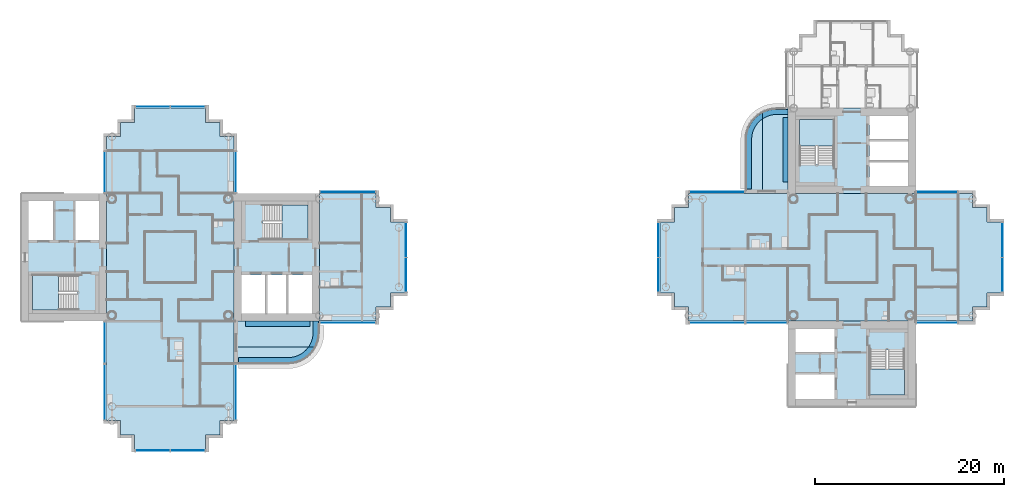
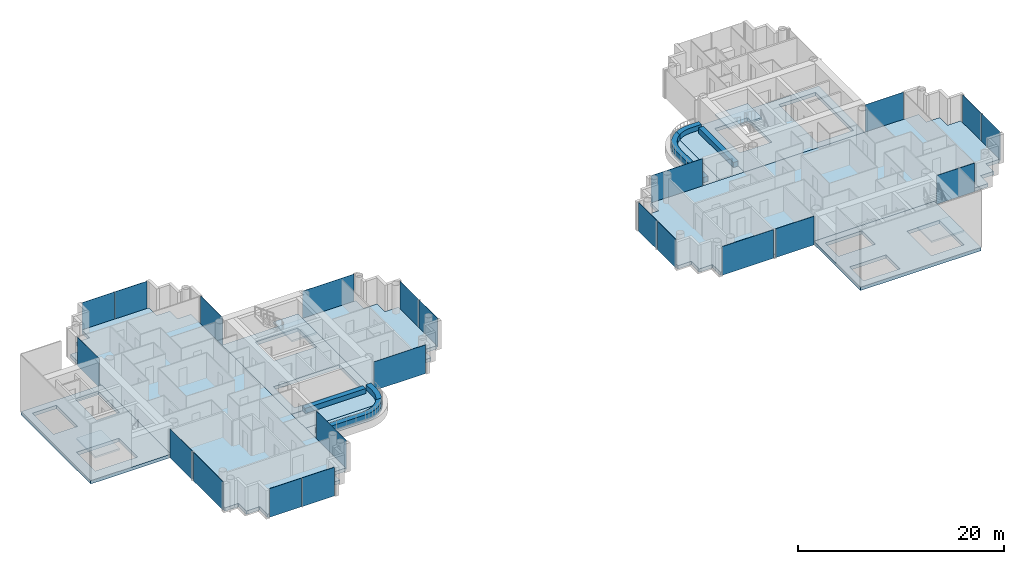
# One storey, part 5 of 20: 22 plates, 21 slabs, 21 elements without a shape of their own.
"""IFC4 building model written with IfcOpenShell, lengths in metres."""

from ifc_helpers import new_model, si_unit, direction, frame, origin, origin_2d, place, context, subcontext, project, spatial, polyline, rectangle, outline, extrude, material, layer, layer_set, type_object, element, aggregate, save


model = new_model("IFC4")

# Units and contexts
model_context = context("Model", 3, precision=1e-05, world=origin(), true_north=direction((0.0, 1.0)))
body_context = subcontext(model_context, "Body", "Model", "MODEL_VIEW")
ifc_project = project(units=[si_unit("LENGTHUNIT", "METRE"), si_unit("AREAUNIT", "SQUARE_METRE"), si_unit("VOLUMEUNIT", "CUBIC_METRE"), si_unit("PLANEANGLEUNIT", "RADIAN"), si_unit("MASSUNIT", "GRAM", prefix="KILO")], contexts=[model_context])

# Site, building, storey
site_placement = place(None, origin())
site = spatial("IfcSite", under=ifc_project, at=site_placement, CompositionType="ELEMENT")
building_placement = place(site_placement, origin())
building = spatial("IfcBuilding", under=site, at=building_placement, Name="Ipe Terrace Towers", CompositionType="ELEMENT")
storey_placement = place(building_placement, frame((0.0, 0.0, 167.699951171875)))
storey = spatial("IfcBuildingStorey", under=building, at=storey_placement, Name="L46", CompositionType="ELEMENT", Elevation=167.699951171875)

# Slabs
ifc_material_1 = material(Name="Concrete C30/37", Category="concrete")
ifc_layer_1 = layer(ifc_material_1, 0.199951171875)
ifc_layer_set_1 = layer_set([ifc_layer_1], Name="BALCONY SLAB 200")
slab_type_1 = type_object("IfcSlabType", Name="BALCONY SLAB 200", PredefinedType="FLOOR", material=ifc_layer_set_1)
slab_1_placement = place(storey_placement, frame((0.0, 0.0, -0.219970703125)))
element("IfcSlab", 1, at=slab_1_placement, inside=storey, type_object=slab_type_1, Name="balcony slab", PredefinedType="FLOOR", context=body_context, shape_type="SweptSolid", body=[
    extrude(outline(polyline([(-20.5009765625, -9.212890625), (-20.362060546875, -8.803955078125), (-20.278076171875, -8.381103515625), (-20.25, -7.949951171875), (-20.25, -6.75), (-29.25, -6.75), (-29.25, -9.449951171875), (-20.617919921875, -9.449951171875), (-20.5009765625, -9.212890625)])), origin(), (0.0, 0.0, 1.0), 0.199951171875),
])
slab_2_placement = place(storey_placement, frame((0.0, 0.0, -0.219970703125)))
element("IfcSlab", 2, at=slab_2_placement, inside=storey, type_object=slab_type_1, Name="balcony slab", PredefinedType="FLOOR", context=body_context, shape_type="SweptSolid", body=[
    extrude(outline(polyline([(-29.25, -11.25), (-23.550048828125, -11.25), (-23.118896484375, -11.221923828125), (-22.696044921875, -11.137939453125), (-22.287109375, -10.9990234375), (-21.89990234375, -10.80810546875), (-21.541015625, -10.568115234375), (-21.217041015625, -10.282958984375), (-20.931884765625, -9.958984375), (-20.69189453125, -9.60009765625), (-20.617919921875, -9.449951171875), (-29.25, -9.449951171875), (-29.25, -11.25)])), origin(), (0.0, 0.0, 1.0), 0.199951171875),
])
slab_3_placement = place(storey_placement, frame((0.0, 0.0, -0.219970703125)))
element("IfcSlab", 3, at=slab_3_placement, inside=storey, type_object=slab_type_1, Name="balcony slab", PredefinedType="FLOOR", context=body_context, shape_type="SweptSolid", body=[
    extrude(outline(polyline([(26.787109375, 15.4990234375), (26.550048828125, 15.382080078125), (26.550048828125, 6.75), (29.25, 6.75), (29.25, 15.75), (28.050048828125, 15.75), (27.618896484375, 15.721923828125), (27.196044921875, 15.637939453125), (26.787109375, 15.4990234375)])), origin(), (0.0, 0.0, 1.0), 0.199951171875),
])
slab_4_placement = place(storey_placement, frame((0.0, 0.0, -0.219970703125)))
element("IfcSlab", 4, at=slab_4_placement, inside=storey, type_object=slab_type_1, Name="balcony slab", PredefinedType="FLOOR", context=body_context, shape_type="SweptSolid", body=[
    extrude(outline(polyline([(24.75, 6.75), (26.550048828125, 6.75), (26.550048828125, 15.382080078125), (26.39990234375, 15.30810546875), (26.041015625, 15.068115234375), (25.717041015625, 14.782958984375), (25.431884765625, 14.458984375), (25.19189453125, 14.10009765625), (25.0009765625, 13.712890625), (24.862060546875, 13.303955078125), (24.778076171875, 12.881103515625), (24.75, 12.449951171875), (24.75, 6.75)])), origin(), (0.0, 0.0, 1.0), 0.199951171875),
])
ifc_material_2 = material(Name="Concrete C30/37", Category="concrete")
ifc_layer_2 = layer(ifc_material_2, 0.39990234375)
ifc_layer_set_2 = layer_set([ifc_layer_2], Name="CORE FLOOR SLAB 400 C30-37")
slab_type_2 = type_object("IfcSlabType", Name="CORE FLOOR SLAB 400 C30-37", PredefinedType="FLOOR", material=ifc_layer_set_2)
slab_5_placement = place(storey_placement, frame((0.0, 0.0, -0.39990234375)))
element("IfcSlab", 5, at=slab_5_placement, inside=storey, type_object=slab_type_2, Name="Core floor T1-C1", PredefinedType="FLOOR", context=body_context, shape_type="SweptSolid", body=[
    extrude(outline(polyline([(-29.25, -6.75), (-29.25, 6.75), (-20.25, 6.75), (-20.25, -6.75), (-29.25, -6.75)]), holes=[polyline([(-28.449951171875, -5.949951171875), (-21.050048828125, -5.949951171875), (-21.050048828125, -1.85009765625), (-28.449951171875, -1.85009765625), (-28.449951171875, -5.949951171875)]), polyline([(-26.199951171875, 5.550048828125), (-26.199951171875, 1.89990234375), (-21.449951171875, 1.89990234375), (-21.449951171875, 5.550048828125), (-26.199951171875, 5.550048828125)])]), origin(), (0.0, 0.0, 1.0), 0.39990234375),
])
slab_6_placement = place(storey_placement, frame((0.0, 0.0, -0.39990234375)))
element("IfcSlab", 6, at=slab_6_placement, inside=storey, type_object=slab_type_2, Name="Core floor T1-C2", PredefinedType="FLOOR", context=body_context, shape_type="SweptSolid", body=[
    extrude(outline(polyline([(-51.75, -6.75), (-51.75, 6.75), (-42.75, 6.75), (-42.75, -6.75), (-51.75, -6.75)]), holes=[polyline([(-45.800048828125, -1.89990234375), (-50.550048828125, -1.89990234375), (-50.550048828125, -5.550048828125), (-45.800048828125, -5.550048828125), (-45.800048828125, -1.89990234375)]), polyline([(-48.25, 1.85009765625), (-48.25, 5.949951171875), (-50.949951171875, 5.949951171875), (-50.949951171875, 1.85009765625), (-48.25, 1.85009765625)]), polyline([(-43.550048828125, 1.85009765625), (-43.550048828125, 5.949951171875), (-46.14990234375, 5.949951171875), (-46.14990234375, 1.85009765625), (-43.550048828125, 1.85009765625)])]), origin(), (0.0, 0.0, 1.0), 0.39990234375),
])
slab_7_placement = place(storey_placement, frame((0.0, 0.0, -0.39990234375)))
element("IfcSlab", 7, at=slab_7_placement, inside=storey, type_object=slab_type_2, Name="Core floor T2-C1", PredefinedType="FLOOR", context=body_context, shape_type="SweptSolid", body=[
    extrude(outline(polyline([(29.25, 6.75), (29.25, 15.75), (42.75, 15.75), (42.75, 6.75), (29.25, 6.75)]), holes=[polyline([(41.949951171875, 7.550048828125), (41.949951171875, 14.949951171875), (37.85009765625, 14.949951171875), (37.85009765625, 7.550048828125), (41.949951171875, 7.550048828125)]), polyline([(30.449951171875, 9.800048828125), (34.10009765625, 9.800048828125), (34.10009765625, 14.550048828125), (30.449951171875, 14.550048828125), (30.449951171875, 9.800048828125)])]), origin(), (0.0, 0.0, 1.0), 0.39990234375),
])
slab_8_placement = place(storey_placement, frame((0.0, 0.0, -0.39990234375)))
element("IfcSlab", 8, at=slab_8_placement, inside=storey, type_object=slab_type_2, Name="Core floor T2-C2", PredefinedType="FLOOR", context=body_context, shape_type="SweptSolid", body=[
    extrude(outline(polyline([(29.25, -15.75), (29.25, -6.75), (42.75, -6.75), (42.75, -15.75), (29.25, -15.75)]), holes=[polyline([(30.050048828125, -12.25), (30.050048828125, -14.949951171875), (34.14990234375, -14.949951171875), (34.14990234375, -12.25), (30.050048828125, -12.25)]), polyline([(41.550048828125, -9.800048828125), (37.89990234375, -9.800048828125), (37.89990234375, -14.550048828125), (41.550048828125, -14.550048828125), (41.550048828125, -9.800048828125)]), polyline([(34.14990234375, -7.550048828125), (30.050048828125, -7.550048828125), (30.050048828125, -10.14990234375), (34.14990234375, -10.14990234375), (34.14990234375, -7.550048828125)])]), origin(), (0.0, 0.0, 1.0), 0.39990234375),
])

# Stair, slab
ifc_material_3 = material(Name="Concrete C30/37", Category="concrete")
stair_type = type_object("IfcStairType", Name="Protected exit stair", PredefinedType="HALF_TURN_STAIR", material=ifc_material_3)
stair_1_placement = place(storey_placement, origin())
stair_1 = element("IfcStair", 9, at=stair_1_placement, inside=storey, type_object=stair_type, Name="L46 Exit stair T1-C1", PredefinedType="HALF_TURN_STAIR")
ifc_material_4 = material(Name="Concrete C30/37", Category="concrete")
ifc_layer_3 = layer(ifc_material_4, 0.199951171875)
ifc_layer_set_3 = layer_set([ifc_layer_3], Name="Exit stair landing 200")
slab_type_3 = type_object("IfcSlabType", Name="Exit stair landing 200", PredefinedType="LANDING", material=ifc_layer_set_3)
slab_9_placement = place(storey_placement, frame((0.0, 0.0, 1.5)))
slab_9 = element("IfcSlab", 10, at=slab_9_placement, type_object=slab_type_3, Name="T1-ST1 landing 1", PredefinedType="LANDING", context=body_context, shape_type="SweptSolid", body=[
    extrude(outline(polyline([(-24.219970703125, 1.89990234375), (-21.449951171875, 1.89990234375), (-21.449951171875, 5.550048828125), (-24.219970703125, 5.550048828125), (-24.219970703125, 1.89990234375)])), origin(), (0.0, 0.0, 1.0), 0.199951171875),
])
aggregate(stair_1, [slab_9])

stair_2_placement = place(storey_placement, origin())
stair_2 = element("IfcStair", 11, at=stair_2_placement, inside=storey, type_object=stair_type, Name="L46 Exit stair T1-C2", PredefinedType="HALF_TURN_STAIR")
slab_10_placement = place(storey_placement, frame((0.0, 0.0, 1.5)))
slab_10 = element("IfcSlab", 12, at=slab_10_placement, type_object=slab_type_3, Name="T1-ST2 landing 1", PredefinedType="LANDING", context=body_context, shape_type="SweptSolid", body=[
    extrude(outline(polyline([(-47.780029296875, -1.89990234375), (-50.550048828125, -1.89990234375), (-50.550048828125, -5.550048828125), (-47.780029296875, -5.550048828125), (-47.780029296875, -1.89990234375)])), origin(), (0.0, 0.0, 1.0), 0.199951171875),
])
aggregate(stair_2, [slab_10])

stair_3_placement = place(storey_placement, origin())
stair_3 = element("IfcStair", 13, at=stair_3_placement, inside=storey, type_object=stair_type, Name="L46 Exit stair T2-C1", PredefinedType="HALF_TURN_STAIR")
slab_11_placement = place(storey_placement, frame((0.0, 0.0, 1.5)))
slab_11 = element("IfcSlab", 14, at=slab_11_placement, type_object=slab_type_3, Name="T2-ST1 landing 1", PredefinedType="LANDING", context=body_context, shape_type="SweptSolid", body=[
    extrude(outline(polyline([(34.10009765625, 11.780029296875), (34.10009765625, 14.550048828125), (30.449951171875, 14.550048828125), (30.449951171875, 11.780029296875), (34.10009765625, 11.780029296875)])), origin(), (0.0, 0.0, 1.0), 0.199951171875),
])
aggregate(stair_3, [slab_11])

stair_4_placement = place(storey_placement, origin())
stair_4 = element("IfcStair", 15, at=stair_4_placement, inside=storey, type_object=stair_type, Name="L46 Exit stair T2-C2", PredefinedType="HALF_TURN_STAIR")
slab_12_placement = place(storey_placement, frame((0.0, 0.0, 1.5)))
slab_12 = element("IfcSlab", 16, at=slab_12_placement, type_object=slab_type_3, Name="T2-ST2 landing 1", PredefinedType="LANDING", context=body_context, shape_type="SweptSolid", body=[
    extrude(outline(polyline([(37.89990234375, -11.780029296875), (37.89990234375, -14.550048828125), (41.550048828125, -14.550048828125), (41.550048828125, -11.780029296875), (37.89990234375, -11.780029296875)])), origin(), (0.0, 0.0, 1.0), 0.199951171875),
])
aggregate(stair_4, [slab_12])

# Slabs
ifc_material_5 = material(Name="Concrete C40/50", Category="concrete")
ifc_layer_4 = layer(ifc_material_5, 0.39990234375)
ifc_layer_set_4 = layer_set([ifc_layer_4], Name="FLAT PLATE SLAB 400 C40-50")
slab_type_4 = type_object("IfcSlabType", Name="FLAT PLATE SLAB 400 C40-50", PredefinedType="FLOOR", material=ifc_layer_set_4)
slab_13_placement = place(storey_placement, frame((0.0, 0.0, -0.39990234375)))
element("IfcSlab", 17, at=slab_13_placement, inside=storey, type_object=slab_type_4, Name="Slab T1-FS-Z31", PredefinedType="FLOOR", context=body_context, shape_type="SweptSolid", body=[
    extrude(outline(polyline([(-30.75, -17.25), (-30.75, -18.75), (-32.25, -18.75), (-32.25, -20.25), (-39.75, -20.25), (-39.75, -18.75), (-41.25, -18.75), (-41.25, -17.25), (-42.75, -17.25), (-42.75, -6.75), (-42.75, 6.75), (-42.75, 12.75), (-41.25, 12.75), (-41.25, 14.25), (-39.75, 14.25), (-39.75, 15.75), (-32.25, 15.75), (-32.25, 14.25), (-30.75, 14.25), (-30.75, 12.75), (-29.25, 12.75), (-29.25, 6.75), (-29.25, -6.75), (-29.25, -17.25), (-30.75, -17.25)])), origin(), (0.0, 0.0, 1.0), 0.39990234375),
])
slab_14_placement = place(storey_placement, frame((0.0, 0.0, -0.39990234375)))
element("IfcSlab", 18, at=slab_14_placement, inside=storey, type_object=slab_type_4, Name="Slab T1-FS-Z32", PredefinedType="FLOOR", context=body_context, shape_type="SweptSolid", body=[
    extrude(outline(polyline([(-14.25, 5.25), (-12.75, 5.25), (-12.75, 3.75), (-11.25, 3.75), (-11.25, -3.75), (-12.75, -3.75), (-12.75, -5.25), (-14.25, -5.25), (-14.25, -6.75), (-20.25, -6.75), (-20.25, 6.75), (-14.25, 6.75), (-14.25, 5.25)])), origin(), (0.0, 0.0, 1.0), 0.39990234375),
])
slab_15_placement = place(storey_placement, frame((0.0, 0.0, -0.39990234375)))
element("IfcSlab", 19, at=slab_15_placement, inside=storey, type_object=slab_type_4, Name="Slab T2-FS-Z31", PredefinedType="FLOOR", context=body_context, shape_type="SweptSolid", body=[
    extrude(outline(polyline([(48.75, 5.25), (50.25, 5.25), (50.25, 3.75), (51.75, 3.75), (51.75, -3.75), (50.25, -3.75), (50.25, -5.25), (48.75, -5.25), (48.75, -6.75), (42.75, -6.75), (29.25, -6.75), (18.75, -6.75), (18.75, -5.25), (17.25, -5.25), (17.25, -3.75), (15.75, -3.75), (15.75, 3.75), (17.25, 3.75), (17.25, 5.25), (18.75, 5.25), (18.75, 6.75), (29.25, 6.75), (42.75, 6.75), (48.75, 6.75), (48.75, 5.25)])), origin(), (0.0, 0.0, 1.0), 0.39990234375),
])
ifc_material_6 = material(Name="Concrete C30/37", Category="concrete")
ifc_layer_5 = layer(ifc_material_6, 0.60009765625)
ifc_layer_set_5 = layer_set([ifc_layer_5], Name="PLANTER TROUGH 550 x 600")
slab_type_5 = type_object("IfcSlabType", Name="PLANTER TROUGH 550 x 600", PredefinedType="USERDEFINED", material=ifc_layer_set_5)
slab_16_placement = place(storey_placement, frame((0.0, 0.0, -0.02001953125)))
element("IfcSlab", 20, at=slab_16_placement, inside=storey, type_object=slab_type_5, Name="planter", ObjectType="PLANTER", PredefinedType="USERDEFINED", context=body_context, shape_type="SweptSolid", body=[
    extrude(outline(polyline([(-21.0009765625, -8.633056640625), (-21.112060546875, -8.9599609375), (-21.264892578125, -9.26904296875), (-21.385986328125, -9.449951171875), (-20.740966796875, -9.449951171875), (-20.611083984375, -9.18701171875), (-20.596923828125, -9.154052734375), (-20.47509765625, -8.79296875), (-20.465087890625, -8.758056640625), (-20.39111328125, -8.384033203125), (-20.385986328125, -8.347900390625), (-20.361083984375, -7.955078125), (-20.360107421875, -7.93701171875), (-20.360107421875, -6.75), (-20.909912109375, -6.75), (-20.909912109375, -7.927978515625), (-20.93408203125, -8.2939453125), (-21.0009765625, -8.633056640625)])), origin(), (0.0, 0.0, 1.0), 0.60009765625),
])
slab_17_placement = place(storey_placement, frame((0.0, 0.0, -0.02001953125)))
element("IfcSlab", 21, at=slab_17_placement, inside=storey, type_object=slab_type_5, Name="planter", ObjectType="PLANTER", PredefinedType="USERDEFINED", context=body_context, shape_type="SweptSolid", body=[
    extrude(outline(polyline([(-21.45703125, -9.555908203125), (-21.68408203125, -9.81591796875), (-21.944091796875, -10.04296875), (-22.23095703125, -10.235107421875), (-22.5400390625, -10.387939453125), (-22.866943359375, -10.4990234375), (-23.2060546875, -10.56591796875), (-23.572021484375, -10.590087890625), (-28.800048828125, -10.590087890625), (-28.800048828125, -11.139892578125), (-23.56298828125, -11.139892578125), (-23.544921875, -11.138916015625), (-23.152099609375, -11.114013671875), (-23.115966796875, -11.10888671875), (-22.741943359375, -11.034912109375), (-22.70703125, -11.02490234375), (-22.345947265625, -10.903076171875), (-22.31298828125, -10.888916015625), (-21.970947265625, -10.719970703125), (-21.93994140625, -10.701904296875), (-21.623046875, -10.490966796875), (-21.594970703125, -10.468994140625), (-21.30810546875, -10.217041015625), (-21.282958984375, -10.19189453125), (-21.031005859375, -9.905029296875), (-21.009033203125, -9.876953125), (-20.798095703125, -9.56005859375), (-20.780029296875, -9.529052734375), (-20.740966796875, -9.449951171875), (-21.385986328125, -9.449951171875), (-21.45703125, -9.555908203125)])), origin(), (0.0, 0.0, 1.0), 0.60009765625),
])
slab_18_placement = place(storey_placement, frame((0.0, 0.0, -0.02001953125)))
element("IfcSlab", 22, at=slab_18_placement, inside=storey, type_object=slab_type_5, Name="planter", ObjectType="PLANTER", PredefinedType="USERDEFINED", context=body_context, shape_type="SweptSolid", body=[
    extrude(outline(polyline([(-28.050048828125, -6.75), (-28.050048828125, -7.300048828125), (-21.25, -7.300048828125), (-21.25, -6.75), (-28.050048828125, -6.75)])), origin(), (0.0, 0.0, 1.0), 0.60009765625),
])
slab_19_placement = place(storey_placement, frame((0.0, 0.0, -0.02001953125)))
element("IfcSlab", 23, at=slab_19_placement, inside=storey, type_object=slab_type_5, Name="planter", ObjectType="PLANTER", PredefinedType="USERDEFINED", context=body_context, shape_type="SweptSolid", body=[
    extrude(outline(polyline([(27.366943359375, 14.9990234375), (27.7060546875, 15.06591796875), (28.072021484375, 15.090087890625), (29.25, 15.090087890625), (29.25, 15.639892578125), (28.06298828125, 15.639892578125), (28.044921875, 15.638916015625), (27.652099609375, 15.614013671875), (27.615966796875, 15.60888671875), (27.241943359375, 15.534912109375), (27.20703125, 15.52490234375), (26.845947265625, 15.403076171875), (26.81298828125, 15.388916015625), (26.550048828125, 15.259033203125), (26.550048828125, 14.614013671875), (26.73095703125, 14.735107421875), (27.0400390625, 14.887939453125), (27.366943359375, 14.9990234375)])), origin(), (0.0, 0.0, 1.0), 0.60009765625),
])
slab_20_placement = place(storey_placement, frame((0.0, 0.0, -0.02001953125)))
element("IfcSlab", 24, at=slab_20_placement, inside=storey, type_object=slab_type_5, Name="planter", ObjectType="PLANTER", PredefinedType="USERDEFINED", context=body_context, shape_type="SweptSolid", body=[
    extrude(outline(polyline([(26.444091796875, 14.54296875), (26.550048828125, 14.614013671875), (26.550048828125, 15.259033203125), (26.470947265625, 15.219970703125), (26.43994140625, 15.201904296875), (26.123046875, 14.990966796875), (26.094970703125, 14.968994140625), (25.80810546875, 14.717041015625), (25.782958984375, 14.69189453125), (25.531005859375, 14.405029296875), (25.509033203125, 14.376953125), (25.298095703125, 14.06005859375), (25.280029296875, 14.029052734375), (25.111083984375, 13.68701171875), (25.096923828125, 13.654052734375), (24.97509765625, 13.29296875), (24.965087890625, 13.258056640625), (24.89111328125, 12.884033203125), (24.885986328125, 12.847900390625), (24.861083984375, 12.455078125), (24.860107421875, 12.43701171875), (24.860107421875, 7.199951171875), (25.409912109375, 7.199951171875), (25.409912109375, 12.427978515625), (25.43408203125, 12.7939453125), (25.5009765625, 13.133056640625), (25.612060546875, 13.4599609375), (25.764892578125, 13.76904296875), (25.95703125, 14.055908203125), (26.18408203125, 14.31591796875), (26.444091796875, 14.54296875)])), origin(), (0.0, 0.0, 1.0), 0.60009765625),
])
slab_21_placement = place(storey_placement, frame((0.0, 0.0, -0.02001953125)))
element("IfcSlab", 25, at=slab_21_placement, inside=storey, type_object=slab_type_5, Name="planter", ObjectType="PLANTER", PredefinedType="USERDEFINED", context=body_context, shape_type="SweptSolid", body=[
    extrude(outline(polyline([(29.25, 7.949951171875), (29.25, 14.75), (28.699951171875, 14.75), (28.699951171875, 7.949951171875), (29.25, 7.949951171875)])), origin(), (0.0, 0.0, 1.0), 0.60009765625),
])

# Curtain wall, plate
ifc_material_7 = material(Name="Aluminium alloy 6063-T6", Category="aluminium")
ifc_layer_6 = layer(ifc_material_7, 0.320068359375)
ifc_layer_set_6 = layer_set([ifc_layer_6], Name="TOWER UNITISED CURTAIN WALL")
curtain_wall_type = type_object("IfcCurtainWallType", Name="TOWER UNITISED CURTAIN WALL", PredefinedType="NOTDEFINED", material=ifc_layer_set_6)
curtain_wall_1_placement = place(storey_placement, origin())
curtain_wall_1 = element("IfcCurtainWall", 26, at=curtain_wall_1_placement, inside=storey, type_object=curtain_wall_type, Name="T1-CW-L46-02a curtain wall", PredefinedType="NOTDEFINED")
ifc_material_8 = material(Name="Glass, clear laminated", Category="glass")
ifc_layer_7 = layer(ifc_material_8, 0.031982421875)
ifc_layer_set_7 = layer_set([ifc_layer_7], Name="TOWER UNITISED GLASS PANEL 32")
plate_type = type_object("IfcPlateType", Name="TOWER UNITISED GLASS PANEL 32", PredefinedType="CURTAIN_PANEL", material=ifc_layer_set_7)
plate_1_placement = place(storey_placement, frame((-42.909912109375, -9.0, -0.2998046875), z_axis=(0.0, 0.0, 1.0), x_axis=(0.0, -1.0, 0.0)))
plate_1 = element("IfcPlate", 27, at=plate_1_placement, type_object=plate_type, Name="T1-CW-L46-02a panel 1", PredefinedType="CURTAIN_PANEL", context=body_context, shape_type="SweptSolid", body=[
    extrude(rectangle(XDim=4.260009765625, YDim=0.031982421875, at=origin_2d()), origin(), (0.0, 0.0, 1.0), 3.39990234375),
])
aggregate(curtain_wall_1, [plate_1])

curtain_wall_2_placement = place(storey_placement, origin())
curtain_wall_2 = element("IfcCurtainWall", 28, at=curtain_wall_2_placement, inside=storey, type_object=curtain_wall_type, Name="T1-CW-L46-03a curtain wall", PredefinedType="NOTDEFINED")
plate_2_placement = place(storey_placement, frame((-42.909912109375, -14.25, -0.2998046875), z_axis=(0.0, 0.0, 1.0), x_axis=(0.0, -1.0, 0.0)))
plate_2 = element("IfcPlate", 29, at=plate_2_placement, type_object=plate_type, Name="T1-CW-L46-03a panel 1", PredefinedType="CURTAIN_PANEL", context=body_context, shape_type="SweptSolid", body=[
    extrude(rectangle(XDim=5.760009765625, YDim=0.031982421875, at=origin_2d()), origin(), (0.0, 0.0, 1.0), 3.39990234375),
])
aggregate(curtain_wall_2, [plate_2])

# Curtain wall, plates
curtain_wall_3_placement = place(storey_placement, origin())
curtain_wall_3 = element("IfcCurtainWall", 30, at=curtain_wall_3_placement, inside=storey, type_object=curtain_wall_type, Name="T1-CW-L46-08a curtain wall", PredefinedType="NOTDEFINED")
plate_3_placement = place(storey_placement, frame((-37.831298828125, -20.409912109375, -0.2998046875), z_axis=(0.0, 0.0, 1.0), x_axis=(1.0, 0.0, 0.0)))
plate_3 = element("IfcPlate", 31, at=plate_3_placement, type_object=plate_type, Name="T1-CW-L46-08a panel 1", PredefinedType="CURTAIN_PANEL", context=body_context, shape_type="SweptSolid", body=[
    extrude(rectangle(XDim=3.597412109375, YDim=0.031982421875, at=origin_2d()), origin(), (0.0, 0.0, 1.0), 3.39990234375),
])
plate_4_placement = place(storey_placement, frame((-34.168701171875, -20.409912109375, -0.2998046875), z_axis=(0.0, 0.0, 1.0), x_axis=(1.0, 0.0, 0.0)))
plate_4 = element("IfcPlate", 32, at=plate_4_placement, type_object=plate_type, Name="T1-CW-L46-08a panel 2", PredefinedType="CURTAIN_PANEL", context=body_context, shape_type="SweptSolid", body=[
    extrude(rectangle(XDim=3.597412109375, YDim=0.031982421875, at=origin_2d()), origin(), (0.0, 0.0, 1.0), 3.39990234375),
])
aggregate(curtain_wall_3, [plate_3, plate_4])

# Curtain wall, plate
curtain_wall_4_placement = place(storey_placement, origin())
curtain_wall_4 = element("IfcCurtainWall", 33, at=curtain_wall_4_placement, inside=storey, type_object=curtain_wall_type, Name="T1-CW-L46-13a curtain wall", PredefinedType="NOTDEFINED")
plate_5_placement = place(storey_placement, frame((-29.090087890625, -14.25, -0.2998046875), z_axis=(0.0, 0.0, 1.0), x_axis=(0.0, 1.0, 0.0)))
plate_5 = element("IfcPlate", 34, at=plate_5_placement, type_object=plate_type, Name="T1-CW-L46-13a panel 1", PredefinedType="CURTAIN_PANEL", context=body_context, shape_type="SweptSolid", body=[
    extrude(rectangle(XDim=5.760009765625, YDim=0.031982421875, at=origin_2d()), origin(), (0.0, 0.0, 1.0), 3.39990234375),
])
aggregate(curtain_wall_4, [plate_5])

curtain_wall_5_placement = place(storey_placement, origin())
curtain_wall_5 = element("IfcCurtainWall", 35, at=curtain_wall_5_placement, inside=storey, type_object=curtain_wall_type, Name="T1-CW-L46-16b curtain wall", PredefinedType="NOTDEFINED")
plate_6_placement = place(storey_placement, frame((-17.24951171875, -6.909912109375, -0.2998046875), z_axis=(0.0, 0.0, 1.0), x_axis=(1.0, 0.0, 0.0)))
plate_6 = element("IfcPlate", 36, at=plate_6_placement, type_object=plate_type, Name="T1-CW-L46-16b panel 1", PredefinedType="CURTAIN_PANEL", context=body_context, shape_type="SweptSolid", body=[
    extrude(rectangle(XDim=5.759033203125, YDim=0.031982421875, at=origin_2d()), origin(), (0.0, 0.0, 1.0), 3.39990234375),
])
aggregate(curtain_wall_5, [plate_6])

# Curtain wall, plates
curtain_wall_6_placement = place(storey_placement, origin())
curtain_wall_6 = element("IfcCurtainWall", 37, at=curtain_wall_6_placement, inside=storey, type_object=curtain_wall_type, Name="T1-CW-L46-21a curtain wall", PredefinedType="NOTDEFINED")
plate_7_placement = place(storey_placement, frame((-11.090087890625, -1.831298828125, -0.2998046875), z_axis=(0.0, 0.0, 1.0), x_axis=(0.0, 1.0, 0.0)))
plate_7 = element("IfcPlate", 38, at=plate_7_placement, type_object=plate_type, Name="T1-CW-L46-21a panel 1", PredefinedType="CURTAIN_PANEL", context=body_context, shape_type="SweptSolid", body=[
    extrude(rectangle(XDim=3.597412109375, YDim=0.031982421875, at=origin_2d()), origin(), (0.0, 0.0, 1.0), 3.39990234375),
])
plate_8_placement = place(storey_placement, frame((-11.090087890625, 1.831298828125, -0.2998046875), z_axis=(0.0, 0.0, 1.0), x_axis=(0.0, 1.0, 0.0)))
plate_8 = element("IfcPlate", 39, at=plate_8_placement, type_object=plate_type, Name="T1-CW-L46-21a panel 2", PredefinedType="CURTAIN_PANEL", context=body_context, shape_type="SweptSolid", body=[
    extrude(rectangle(XDim=3.597412109375, YDim=0.031982421875, at=origin_2d()), origin(), (0.0, 0.0, 1.0), 3.39990234375),
])
aggregate(curtain_wall_6, [plate_7, plate_8])

# Curtain wall, plate
curtain_wall_7_placement = place(storey_placement, origin())
curtain_wall_7 = element("IfcCurtainWall", 40, at=curtain_wall_7_placement, inside=storey, type_object=curtain_wall_type, Name="T1-CW-L46-26a curtain wall", PredefinedType="NOTDEFINED")
plate_9_placement = place(storey_placement, frame((-17.24951171875, 6.909912109375, -0.2998046875), z_axis=(0.0, 0.0, 1.0), x_axis=(-1.0, 0.0, 0.0)))
plate_9 = element("IfcPlate", 41, at=plate_9_placement, type_object=plate_type, Name="T1-CW-L46-26a panel 1", PredefinedType="CURTAIN_PANEL", context=body_context, shape_type="SweptSolid", body=[
    extrude(rectangle(XDim=5.759033203125, YDim=0.031982421875, at=origin_2d()), origin(), (0.0, 0.0, 1.0), 3.39990234375),
])
aggregate(curtain_wall_7, [plate_9])

curtain_wall_8_placement = place(storey_placement, origin())
curtain_wall_8 = element("IfcCurtainWall", 42, at=curtain_wall_8_placement, inside=storey, type_object=curtain_wall_type, Name="T1-CW-L46-28a curtain wall", PredefinedType="NOTDEFINED")
plate_10_placement = place(storey_placement, frame((-29.090087890625, 9.0, -0.2998046875), z_axis=(0.0, 0.0, 1.0), x_axis=(0.0, 1.0, 0.0)))
plate_10 = element("IfcPlate", 43, at=plate_10_placement, type_object=plate_type, Name="T1-CW-L46-28a panel 1", PredefinedType="CURTAIN_PANEL", context=body_context, shape_type="SweptSolid", body=[
    extrude(rectangle(XDim=4.260009765625, YDim=0.031982421875, at=origin_2d()), origin(), (0.0, 0.0, 1.0), 3.39990234375),
])
aggregate(curtain_wall_8, [plate_10])

# Curtain wall, plates
curtain_wall_9_placement = place(storey_placement, origin())
curtain_wall_9 = element("IfcCurtainWall", 44, at=curtain_wall_9_placement, inside=storey, type_object=curtain_wall_type, Name="T1-CW-L46-34a curtain wall", PredefinedType="NOTDEFINED")
plate_11_placement = place(storey_placement, frame((-34.168701171875, 15.909912109375, -0.2998046875), z_axis=(0.0, 0.0, 1.0), x_axis=(-1.0, 0.0, 0.0)))
plate_11 = element("IfcPlate", 45, at=plate_11_placement, type_object=plate_type, Name="T1-CW-L46-34a panel 1", PredefinedType="CURTAIN_PANEL", context=body_context, shape_type="SweptSolid", body=[
    extrude(rectangle(XDim=3.597412109375, YDim=0.031982421875, at=origin_2d()), origin(), (0.0, 0.0, 1.0), 3.39990234375),
])
plate_12_placement = place(storey_placement, frame((-37.831298828125, 15.909912109375, -0.2998046875), z_axis=(0.0, 0.0, 1.0), x_axis=(-1.0, 0.0, 0.0)))
plate_12 = element("IfcPlate", 46, at=plate_12_placement, type_object=plate_type, Name="T1-CW-L46-34a panel 2", PredefinedType="CURTAIN_PANEL", context=body_context, shape_type="SweptSolid", body=[
    extrude(rectangle(XDim=3.597412109375, YDim=0.031982421875, at=origin_2d()), origin(), (0.0, 0.0, 1.0), 3.39990234375),
])
aggregate(curtain_wall_9, [plate_11, plate_12])

# Curtain wall, plate
curtain_wall_10_placement = place(storey_placement, origin())
curtain_wall_10 = element("IfcCurtainWall", 47, at=curtain_wall_10_placement, inside=storey, type_object=curtain_wall_type, Name="T1-CW-L46-40a curtain wall", PredefinedType="NOTDEFINED")
plate_13_placement = place(storey_placement, frame((-42.909912109375, 9.0, -0.2998046875), z_axis=(0.0, 0.0, 1.0), x_axis=(0.0, -1.0, 0.0)))
plate_13 = element("IfcPlate", 48, at=plate_13_placement, type_object=plate_type, Name="T1-CW-L46-40a panel 1", PredefinedType="CURTAIN_PANEL", context=body_context, shape_type="SweptSolid", body=[
    extrude(rectangle(XDim=4.260009765625, YDim=0.031982421875, at=origin_2d()), origin(), (0.0, 0.0, 1.0), 3.39990234375),
])
aggregate(curtain_wall_10, [plate_13])

curtain_wall_11_placement = place(storey_placement, origin())
curtain_wall_11 = element("IfcCurtainWall", 49, at=curtain_wall_11_placement, inside=storey, type_object=curtain_wall_type, Name="T2-CW-L46-02a curtain wall", PredefinedType="NOTDEFINED")
plate_14_placement = place(storey_placement, frame((45.0, -6.909912109375, -0.2998046875), z_axis=(0.0, 0.0, 1.0), x_axis=(1.0, 0.0, 0.0)))
plate_14 = element("IfcPlate", 50, at=plate_14_placement, type_object=plate_type, Name="T2-CW-L46-02a panel 1", PredefinedType="CURTAIN_PANEL", context=body_context, shape_type="SweptSolid", body=[
    extrude(rectangle(XDim=4.260009765625, YDim=0.031982421875, at=origin_2d()), origin(), (0.0, 0.0, 1.0), 3.39990234375),
])
aggregate(curtain_wall_11, [plate_14])

# Curtain wall, plates
curtain_wall_12_placement = place(storey_placement, origin())
curtain_wall_12 = element("IfcCurtainWall", 51, at=curtain_wall_12_placement, inside=storey, type_object=curtain_wall_type, Name="T2-CW-L46-08a curtain wall", PredefinedType="NOTDEFINED")
plate_15_placement = place(storey_placement, frame((51.909912109375, -1.831298828125, -0.2998046875), z_axis=(0.0, 0.0, 1.0), x_axis=(0.0, 1.0, 0.0)))
plate_15 = element("IfcPlate", 52, at=plate_15_placement, type_object=plate_type, Name="T2-CW-L46-08a panel 1", PredefinedType="CURTAIN_PANEL", context=body_context, shape_type="SweptSolid", body=[
    extrude(rectangle(XDim=3.597412109375, YDim=0.031982421875, at=origin_2d()), origin(), (0.0, 0.0, 1.0), 3.39990234375),
])
plate_16_placement = place(storey_placement, frame((51.909912109375, 1.831298828125, -0.2998046875), z_axis=(0.0, 0.0, 1.0), x_axis=(0.0, 1.0, 0.0)))
plate_16 = element("IfcPlate", 53, at=plate_16_placement, type_object=plate_type, Name="T2-CW-L46-08a panel 2", PredefinedType="CURTAIN_PANEL", context=body_context, shape_type="SweptSolid", body=[
    extrude(rectangle(XDim=3.597412109375, YDim=0.031982421875, at=origin_2d()), origin(), (0.0, 0.0, 1.0), 3.39990234375),
])
aggregate(curtain_wall_12, [plate_15, plate_16])

# Curtain wall, plate
curtain_wall_13_placement = place(storey_placement, origin())
curtain_wall_13 = element("IfcCurtainWall", 54, at=curtain_wall_13_placement, inside=storey, type_object=curtain_wall_type, Name="T2-CW-L46-14a curtain wall", PredefinedType="NOTDEFINED")
plate_17_placement = place(storey_placement, frame((45.0, 6.909912109375, -0.2998046875), z_axis=(0.0, 0.0, 1.0), x_axis=(-1.0, 0.0, 0.0)))
plate_17 = element("IfcPlate", 55, at=plate_17_placement, type_object=plate_type, Name="T2-CW-L46-14a panel 1", PredefinedType="CURTAIN_PANEL", context=body_context, shape_type="SweptSolid", body=[
    extrude(rectangle(XDim=4.260009765625, YDim=0.031982421875, at=origin_2d()), origin(), (0.0, 0.0, 1.0), 3.39990234375),
])
aggregate(curtain_wall_13, [plate_17])

curtain_wall_14_placement = place(storey_placement, origin())
curtain_wall_14 = element("IfcCurtainWall", 56, at=curtain_wall_14_placement, inside=storey, type_object=curtain_wall_type, Name="T2-CW-L46-29a curtain wall", PredefinedType="NOTDEFINED")
plate_18_placement = place(storey_placement, frame((21.75, 6.909912109375, -0.2998046875), z_axis=(0.0, 0.0, 1.0), x_axis=(-1.0, 0.0, 0.0)))
plate_18 = element("IfcPlate", 57, at=plate_18_placement, type_object=plate_type, Name="T2-CW-L46-29a panel 1", PredefinedType="CURTAIN_PANEL", context=body_context, shape_type="SweptSolid", body=[
    extrude(rectangle(XDim=5.760009765625, YDim=0.031982421875, at=origin_2d()), origin(), (0.0, 0.0, 1.0), 3.39990234375),
])
aggregate(curtain_wall_14, [plate_18])

# Curtain wall, plates
curtain_wall_15_placement = place(storey_placement, origin())
curtain_wall_15 = element("IfcCurtainWall", 58, at=curtain_wall_15_placement, inside=storey, type_object=curtain_wall_type, Name="T2-CW-L46-34a curtain wall", PredefinedType="NOTDEFINED")
plate_19_placement = place(storey_placement, frame((15.590087890625, 1.831298828125, -0.2998046875), z_axis=(0.0, 0.0, 1.0), x_axis=(0.0, -1.0, 0.0)))
plate_19 = element("IfcPlate", 59, at=plate_19_placement, type_object=plate_type, Name="T2-CW-L46-34a panel 1", PredefinedType="CURTAIN_PANEL", context=body_context, shape_type="SweptSolid", body=[
    extrude(rectangle(XDim=3.597412109375, YDim=0.031982421875, at=origin_2d()), origin(), (0.0, 0.0, 1.0), 3.39990234375),
])
plate_20_placement = place(storey_placement, frame((15.590087890625, -1.831298828125, -0.2998046875), z_axis=(0.0, 0.0, 1.0), x_axis=(0.0, -1.0, 0.0)))
plate_20 = element("IfcPlate", 60, at=plate_20_placement, type_object=plate_type, Name="T2-CW-L46-34a panel 2", PredefinedType="CURTAIN_PANEL", context=body_context, shape_type="SweptSolid", body=[
    extrude(rectangle(XDim=3.597412109375, YDim=0.031982421875, at=origin_2d()), origin(), (0.0, 0.0, 1.0), 3.39990234375),
])
aggregate(curtain_wall_15, [plate_19, plate_20])

# Curtain wall, plate
curtain_wall_16_placement = place(storey_placement, origin())
curtain_wall_16 = element("IfcCurtainWall", 61, at=curtain_wall_16_placement, inside=storey, type_object=curtain_wall_type, Name="T2-CW-L46-39a curtain wall", PredefinedType="NOTDEFINED")
plate_21_placement = place(storey_placement, frame((21.75, -6.909912109375, -0.2998046875), z_axis=(0.0, 0.0, 1.0), x_axis=(1.0, 0.0, 0.0)))
plate_21 = element("IfcPlate", 62, at=plate_21_placement, type_object=plate_type, Name="T2-CW-L46-39a panel 1", PredefinedType="CURTAIN_PANEL", context=body_context, shape_type="SweptSolid", body=[
    extrude(rectangle(XDim=5.760009765625, YDim=0.031982421875, at=origin_2d()), origin(), (0.0, 0.0, 1.0), 3.39990234375),
])
aggregate(curtain_wall_16, [plate_21])

curtain_wall_17_placement = place(storey_placement, origin())
curtain_wall_17 = element("IfcCurtainWall", 63, at=curtain_wall_17_placement, inside=storey, type_object=curtain_wall_type, Name="T2-CW-L46-40a curtain wall", PredefinedType="NOTDEFINED")
plate_22_placement = place(storey_placement, frame((27.0, -6.909912109375, -0.2998046875), z_axis=(0.0, 0.0, 1.0), x_axis=(1.0, 0.0, 0.0)))
plate_22 = element("IfcPlate", 64, at=plate_22_placement, type_object=plate_type, Name="T2-CW-L46-40a panel 1", PredefinedType="CURTAIN_PANEL", context=body_context, shape_type="SweptSolid", body=[
    extrude(rectangle(XDim=4.260009765625, YDim=0.031982421875, at=origin_2d()), origin(), (0.0, 0.0, 1.0), 3.39990234375),
])
aggregate(curtain_wall_17, [plate_22])

save(model, "model.ifc")
